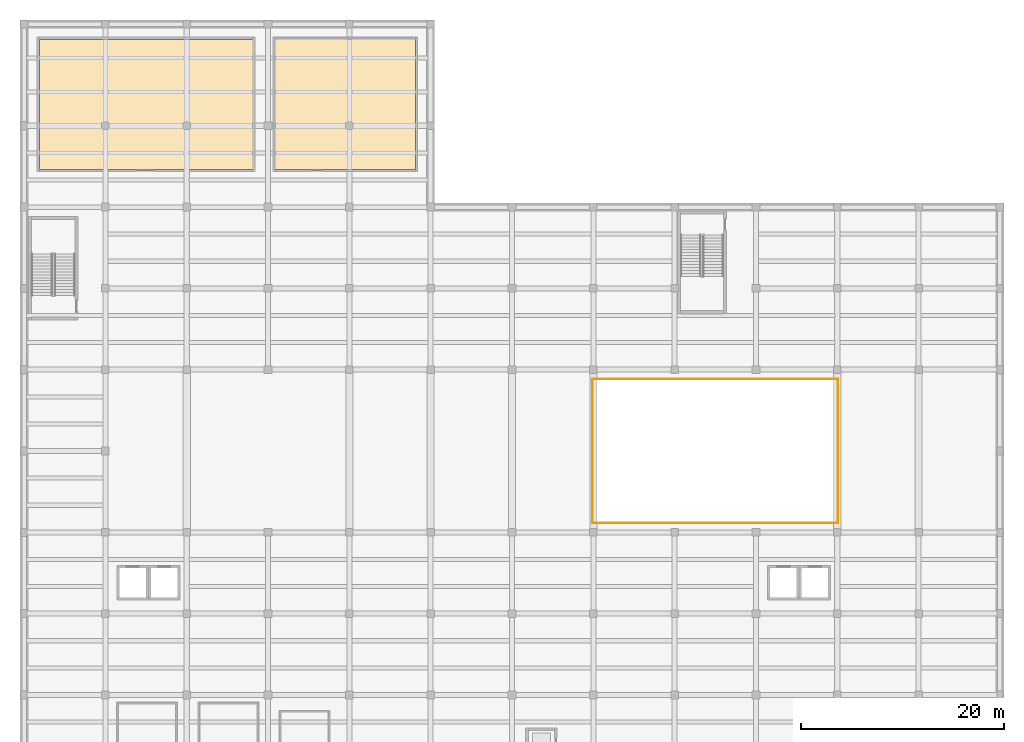
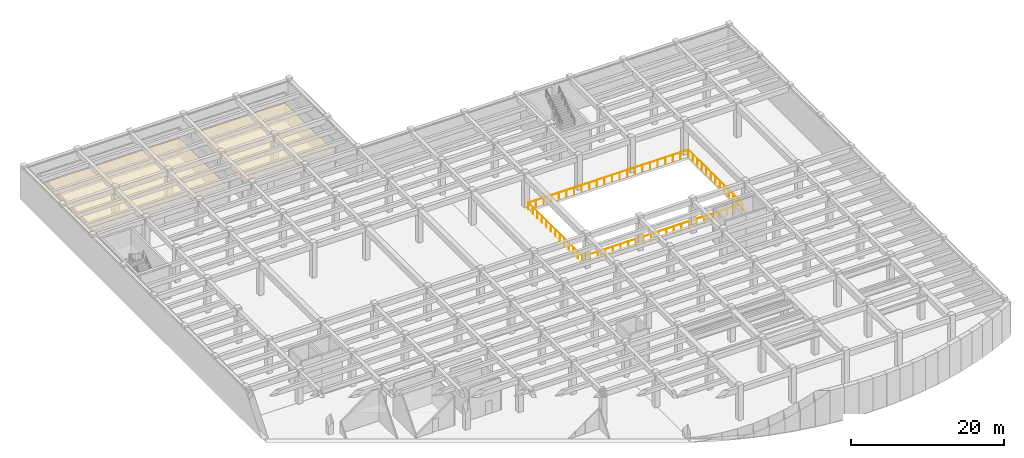
# One storey, part 17 of 19: 4 railings, 2 coverings.
"""IFC4 building model written with IfcOpenShell, lengths in metres."""

from ifc_helpers import new_model, si_unit, direction, frame, origin, origin_2d, place, context, subcontext, project, spatial, polyline, circle, outline, extrude, material, layer, layer_set, type_object, element, save


model = new_model("IFC4")

# Units and contexts
model_context = context("Model", 3, precision=1e-05, world=origin(), true_north=direction((0.0, 1.0)))
body_context = subcontext(model_context, "Body", "Model", "MODEL_VIEW")
ifc_project = project(units=[si_unit("LENGTHUNIT", "METRE"), si_unit("AREAUNIT", "SQUARE_METRE"), si_unit("VOLUMEUNIT", "CUBIC_METRE"), si_unit("PLANEANGLEUNIT", "RADIAN"), si_unit("MASSUNIT", "GRAM", prefix="KILO")], contexts=[model_context])

# Site, building, storey
site_placement = place(None, origin())
site = spatial("IfcSite", under=ifc_project, at=site_placement, CompositionType="ELEMENT")
building_placement = place(site_placement, origin())
building = spatial("IfcBuilding", under=site, at=building_placement, Name="Drelvath Fold Interchange", CompositionType="ELEMENT")
storey_placement = place(building_placement, frame((0.0, 0.0, -5.60009765625)))
storey = spatial("IfcBuildingStorey", under=building, at=storey_placement, Name="B1", CompositionType="ELEMENT", Elevation=-5.60009765625)

# Coverings
ifc_material_1 = material(Name="Perforated Aluminium Acoustic Ceiling", Category="aluminium")
ifc_layer = layer(ifc_material_1, 0.01806640625, Name="Perforated Aluminium Acoustic Ceiling")
ifc_layer_set = layer_set([ifc_layer], Name="Perforated Aluminium Acoustic Ceiling")
covering_type = type_object("IfcCoveringType", Name="CV-CEIL-AL18", PredefinedType="CEILING", material=ifc_layer_set)
covering_1_placement = place(storey_placement, frame((0.0, 0.0, 2.830078125)))
element("IfcCovering", 1, at=covering_1_placement, inside=storey, type_object=covering_type, Name="Concourse Chilled Water Plant Room acoustic ceiling", PredefinedType="CEILING", context=body_context, shape_type="SweptSolid", body=[
    extrude(outline(polyline([(5.4951171875, 102.695068359375), (26.5048828125, 102.695068359375), (26.5048828125, 115.5048828125), (5.4951171875, 115.5048828125), (5.4951171875, 102.695068359375)])), origin(), (0.0, 0.0, 1.0), 0.02001953125),
])
covering_2_placement = place(storey_placement, frame((0.0, 0.0, 2.830078125)))
element("IfcCovering", 2, at=covering_2_placement, inside=storey, type_object=covering_type, Name="Mezzanine Switchgear Room acoustic ceiling", PredefinedType="CEILING", context=body_context, shape_type="SweptSolid", body=[
    extrude(outline(polyline([(28.679931640625, 102.679931640625), (42.52001953125, 102.679931640625), (42.52001953125, 115.52001953125), (28.679931640625, 115.52001953125), (28.679931640625, 102.679931640625)])), origin(), (0.0, 0.0, 1.0), 0.02001953125),
])

# Railings
ifc_material_2 = material(Name="Stainless Steel 316L", Category="steel")
railing_type = type_object("IfcRailingType", Name="RL-BAL1120", PredefinedType="BALUSTRADE", material=ifc_material_2)
railing_1_placement = place(storey_placement, frame((59.949951171875, 67.919921875, 0.0)))
element("IfcRailing", 3, at=railing_1_placement, inside=storey, type_object=railing_type, Name="B1 atrium overlook balustrade 1 (S)", PredefinedType="BALUSTRADE", context=body_context, shape_type="SweptSolid", body=[
    extrude(circle(Radius=0.02392578125, at=origin_2d()), frame((0.0, 0.0, 1.09619140625), z_axis=(1.0, 0.0, 0.0), x_axis=(0.0, 1.0, 0.0)), (0.0, 0.0, 1.0), 24.10009765625),
    extrude(circle(Radius=0.02099609375, at=origin_2d()), origin(), (0.0, 0.0, 1.0), 1.072021484375),
    extrude(circle(Radius=0.02099609375, at=origin_2d()), frame((1.147705078125, 0.0, 0.0)), (0.0, 0.0, 1.0), 1.072021484375),
    extrude(circle(Radius=0.02099609375, at=origin_2d()), frame((2.295166015625, 0.0, 0.0)), (0.0, 0.0, 1.0), 1.072021484375),
    extrude(circle(Radius=0.02099609375, at=origin_2d()), frame((3.44287109375, 0.0, 0.0)), (0.0, 0.0, 1.0), 1.072021484375),
    extrude(circle(Radius=0.02099609375, at=origin_2d()), frame((4.590576171875, 0.0, 0.0)), (0.0, 0.0, 1.0), 1.072021484375),
    extrude(circle(Radius=0.02099609375, at=origin_2d()), frame((5.738037109375, 0.0, 0.0)), (0.0, 0.0, 1.0), 1.072021484375),
    extrude(circle(Radius=0.02099609375, at=origin_2d()), frame((6.8857421875, 0.0, 0.0)), (0.0, 0.0, 1.0), 1.072021484375),
    extrude(circle(Radius=0.02099609375, at=origin_2d()), frame((8.033447265625, 0.0, 0.0)), (0.0, 0.0, 1.0), 1.072021484375),
    extrude(circle(Radius=0.02099609375, at=origin_2d()), frame((9.180908203125, 0.0, 0.0)), (0.0, 0.0, 1.0), 1.072021484375),
    extrude(circle(Radius=0.02099609375, at=origin_2d()), frame((10.32861328125, 0.0, 0.0)), (0.0, 0.0, 1.0), 1.072021484375),
    extrude(circle(Radius=0.02099609375, at=origin_2d()), frame((11.476318359375, 0.0, 0.0)), (0.0, 0.0, 1.0), 1.072021484375),
    extrude(circle(Radius=0.02099609375, at=origin_2d()), frame((12.623779296875, 0.0, 0.0)), (0.0, 0.0, 1.0), 1.072021484375),
    extrude(circle(Radius=0.02099609375, at=origin_2d()), frame((13.771484375, 0.0, 0.0)), (0.0, 0.0, 1.0), 1.072021484375),
    extrude(circle(Radius=0.02099609375, at=origin_2d()), frame((14.919189453125, 0.0, 0.0)), (0.0, 0.0, 1.0), 1.072021484375),
    extrude(circle(Radius=0.02099609375, at=origin_2d()), frame((16.066650390625, 0.0, 0.0)), (0.0, 0.0, 1.0), 1.072021484375),
    extrude(circle(Radius=0.02099609375, at=origin_2d()), frame((17.21435546875, 0.0, 0.0)), (0.0, 0.0, 1.0), 1.072021484375),
    extrude(circle(Radius=0.02099609375, at=origin_2d()), frame((18.362060546875, 0.0, 0.0)), (0.0, 0.0, 1.0), 1.072021484375),
    extrude(circle(Radius=0.02099609375, at=origin_2d()), frame((19.509521484375, 0.0, 0.0)), (0.0, 0.0, 1.0), 1.072021484375),
    extrude(circle(Radius=0.02099609375, at=origin_2d()), frame((20.6572265625, 0.0, 0.0)), (0.0, 0.0, 1.0), 1.072021484375),
    extrude(circle(Radius=0.02099609375, at=origin_2d()), frame((21.804931640625, 0.0, 0.0)), (0.0, 0.0, 1.0), 1.072021484375),
    extrude(circle(Radius=0.02099609375, at=origin_2d()), frame((22.952392578125, 0.0, 0.0)), (0.0, 0.0, 1.0), 1.072021484375),
    extrude(circle(Radius=0.02099609375, at=origin_2d()), frame((24.10009765625, 0.0, 0.0)), (0.0, 0.0, 1.0), 1.072021484375),
])
railing_2_placement = place(storey_placement, frame((84.080078125, 67.949951171875, 0.0)))
element("IfcRailing", 4, at=railing_2_placement, inside=storey, type_object=railing_type, Name="B1 atrium overlook balustrade 1 (E)", PredefinedType="BALUSTRADE", context=body_context, shape_type="SweptSolid", body=[
    extrude(circle(Radius=0.02392578125, at=origin_2d()), frame((0.0, 0.0, 1.09619140625), z_axis=(0.0, 1.0, 0.0), x_axis=(-1.0, 0.0, 0.0)), (0.0, 0.0, 1.0), 14.10009765625),
    extrude(circle(Radius=0.02099609375, at=origin_2d()), origin(), (0.0, 0.0, 1.0), 1.072021484375),
    extrude(circle(Radius=0.02099609375, at=origin_2d()), frame((0.0, 1.175048828125, 0.0)), (0.0, 0.0, 1.0), 1.072021484375),
    extrude(circle(Radius=0.02099609375, at=origin_2d()), frame((0.0, 2.35009765625, 0.0)), (0.0, 0.0, 1.0), 1.072021484375),
    extrude(circle(Radius=0.02099609375, at=origin_2d()), frame((0.0, 3.52490234375, 0.0)), (0.0, 0.0, 1.0), 1.072021484375),
    extrude(circle(Radius=0.02099609375, at=origin_2d()), frame((0.0, 4.699951171875, 0.0)), (0.0, 0.0, 1.0), 1.072021484375),
    extrude(circle(Radius=0.02099609375, at=origin_2d()), frame((0.0, 5.875, 0.0)), (0.0, 0.0, 1.0), 1.072021484375),
    extrude(circle(Radius=0.02099609375, at=origin_2d()), frame((0.0, 7.050048828125, 0.0)), (0.0, 0.0, 1.0), 1.072021484375),
    extrude(circle(Radius=0.02099609375, at=origin_2d()), frame((0.0, 8.22509765625, 0.0)), (0.0, 0.0, 1.0), 1.072021484375),
    extrude(circle(Radius=0.02099609375, at=origin_2d()), frame((0.0, 9.400146484375, 0.0)), (0.0, 0.0, 1.0), 1.072021484375),
    extrude(circle(Radius=0.02099609375, at=origin_2d()), frame((0.0, 10.5751953125, 0.0)), (0.0, 0.0, 1.0), 1.072021484375),
    extrude(circle(Radius=0.02099609375, at=origin_2d()), frame((0.0, 11.75, 0.0)), (0.0, 0.0, 1.0), 1.072021484375),
    extrude(circle(Radius=0.02099609375, at=origin_2d()), frame((0.0, 12.925048828125, 0.0)), (0.0, 0.0, 1.0), 1.072021484375),
    extrude(circle(Radius=0.02099609375, at=origin_2d()), frame((0.0, 14.10009765625, 0.0)), (0.0, 0.0, 1.0), 1.072021484375),
])
railing_3_placement = place(storey_placement, frame((84.050048828125, 82.080078125, 0.0)))
element("IfcRailing", 5, at=railing_3_placement, inside=storey, type_object=railing_type, Name="B1 atrium overlook balustrade 1 (N)", PredefinedType="BALUSTRADE", context=body_context, shape_type="SweptSolid", body=[
    extrude(circle(Radius=0.02392578125, at=origin_2d()), frame((0.0, 0.0, 1.09619140625), z_axis=(-1.0, 0.0, 0.0), x_axis=(0.0, -1.0, 0.0)), (0.0, 0.0, 1.0), 24.10009765625),
    extrude(circle(Radius=0.02099609375, at=origin_2d()), origin(), (0.0, 0.0, 1.0), 1.072021484375),
    extrude(circle(Radius=0.02099609375, at=origin_2d()), frame((-1.147705078125, 0.0, 0.0)), (0.0, 0.0, 1.0), 1.072021484375),
    extrude(circle(Radius=0.02099609375, at=origin_2d()), frame((-2.295166015625, 0.0, 0.0)), (0.0, 0.0, 1.0), 1.072021484375),
    extrude(circle(Radius=0.02099609375, at=origin_2d()), frame((-3.44287109375, 0.0, 0.0)), (0.0, 0.0, 1.0), 1.072021484375),
    extrude(circle(Radius=0.02099609375, at=origin_2d()), frame((-4.590576171875, 0.0, 0.0)), (0.0, 0.0, 1.0), 1.072021484375),
    extrude(circle(Radius=0.02099609375, at=origin_2d()), frame((-5.738037109375, 0.0, 0.0)), (0.0, 0.0, 1.0), 1.072021484375),
    extrude(circle(Radius=0.02099609375, at=origin_2d()), frame((-6.8857421875, 0.0, 0.0)), (0.0, 0.0, 1.0), 1.072021484375),
    extrude(circle(Radius=0.02099609375, at=origin_2d()), frame((-8.033447265625, 0.0, 0.0)), (0.0, 0.0, 1.0), 1.072021484375),
    extrude(circle(Radius=0.02099609375, at=origin_2d()), frame((-9.180908203125, 0.0, 0.0)), (0.0, 0.0, 1.0), 1.072021484375),
    extrude(circle(Radius=0.02099609375, at=origin_2d()), frame((-10.32861328125, 0.0, 0.0)), (0.0, 0.0, 1.0), 1.072021484375),
    extrude(circle(Radius=0.02099609375, at=origin_2d()), frame((-11.476318359375, 0.0, 0.0)), (0.0, 0.0, 1.0), 1.072021484375),
    extrude(circle(Radius=0.02099609375, at=origin_2d()), frame((-12.623779296875, 0.0, 0.0)), (0.0, 0.0, 1.0), 1.072021484375),
    extrude(circle(Radius=0.02099609375, at=origin_2d()), frame((-13.771484375, 0.0, 0.0)), (0.0, 0.0, 1.0), 1.072021484375),
    extrude(circle(Radius=0.02099609375, at=origin_2d()), frame((-14.919189453125, 0.0, 0.0)), (0.0, 0.0, 1.0), 1.072021484375),
    extrude(circle(Radius=0.02099609375, at=origin_2d()), frame((-16.066650390625, 0.0, 0.0)), (0.0, 0.0, 1.0), 1.072021484375),
    extrude(circle(Radius=0.02099609375, at=origin_2d()), frame((-17.21435546875, 0.0, 0.0)), (0.0, 0.0, 1.0), 1.072021484375),
    extrude(circle(Radius=0.02099609375, at=origin_2d()), frame((-18.362060546875, 0.0, 0.0)), (0.0, 0.0, 1.0), 1.072021484375),
    extrude(circle(Radius=0.02099609375, at=origin_2d()), frame((-19.509521484375, 0.0, 0.0)), (0.0, 0.0, 1.0), 1.072021484375),
    extrude(circle(Radius=0.02099609375, at=origin_2d()), frame((-20.6572265625, 0.0, 0.0)), (0.0, 0.0, 1.0), 1.072021484375),
    extrude(circle(Radius=0.02099609375, at=origin_2d()), frame((-21.804931640625, 0.0, 0.0)), (0.0, 0.0, 1.0), 1.072021484375),
    extrude(circle(Radius=0.02099609375, at=origin_2d()), frame((-22.952392578125, 0.0, 0.0)), (0.0, 0.0, 1.0), 1.072021484375),
    extrude(circle(Radius=0.02099609375, at=origin_2d()), frame((-24.10009765625, 0.0, 0.0)), (0.0, 0.0, 1.0), 1.072021484375),
])
railing_4_placement = place(storey_placement, frame((59.919921875, 82.050048828125, 0.0)))
element("IfcRailing", 6, at=railing_4_placement, inside=storey, type_object=railing_type, Name="B1 atrium overlook balustrade 1 (W)", PredefinedType="BALUSTRADE", context=body_context, shape_type="SweptSolid", body=[
    extrude(circle(Radius=0.02392578125, at=origin_2d()), frame((0.0, 0.0, 1.09619140625), z_axis=(0.0, -1.0, 0.0), x_axis=(1.0, 0.0, 0.0)), (0.0, 0.0, 1.0), 14.10009765625),
    extrude(circle(Radius=0.02099609375, at=origin_2d()), origin(), (0.0, 0.0, 1.0), 1.072021484375),
    extrude(circle(Radius=0.02099609375, at=origin_2d()), frame((0.0, -1.175048828125, 0.0)), (0.0, 0.0, 1.0), 1.072021484375),
    extrude(circle(Radius=0.02099609375, at=origin_2d()), frame((0.0, -2.35009765625, 0.0)), (0.0, 0.0, 1.0), 1.072021484375),
    extrude(circle(Radius=0.02099609375, at=origin_2d()), frame((0.0, -3.52490234375, 0.0)), (0.0, 0.0, 1.0), 1.072021484375),
    extrude(circle(Radius=0.02099609375, at=origin_2d()), frame((0.0, -4.699951171875, 0.0)), (0.0, 0.0, 1.0), 1.072021484375),
    extrude(circle(Radius=0.02099609375, at=origin_2d()), frame((0.0, -5.875, 0.0)), (0.0, 0.0, 1.0), 1.072021484375),
    extrude(circle(Radius=0.02099609375, at=origin_2d()), frame((0.0, -7.050048828125, 0.0)), (0.0, 0.0, 1.0), 1.072021484375),
    extrude(circle(Radius=0.02099609375, at=origin_2d()), frame((0.0, -8.22509765625, 0.0)), (0.0, 0.0, 1.0), 1.072021484375),
    extrude(circle(Radius=0.02099609375, at=origin_2d()), frame((0.0, -9.400146484375, 0.0)), (0.0, 0.0, 1.0), 1.072021484375),
    extrude(circle(Radius=0.02099609375, at=origin_2d()), frame((0.0, -10.5751953125, 0.0)), (0.0, 0.0, 1.0), 1.072021484375),
    extrude(circle(Radius=0.02099609375, at=origin_2d()), frame((0.0, -11.75, 0.0)), (0.0, 0.0, 1.0), 1.072021484375),
    extrude(circle(Radius=0.02099609375, at=origin_2d()), frame((0.0, -12.925048828125, 0.0)), (0.0, 0.0, 1.0), 1.072021484375),
    extrude(circle(Radius=0.02099609375, at=origin_2d()), frame((0.0, -14.10009765625, 0.0)), (0.0, 0.0, 1.0), 1.072021484375),
])

save(model, "model.ifc")
